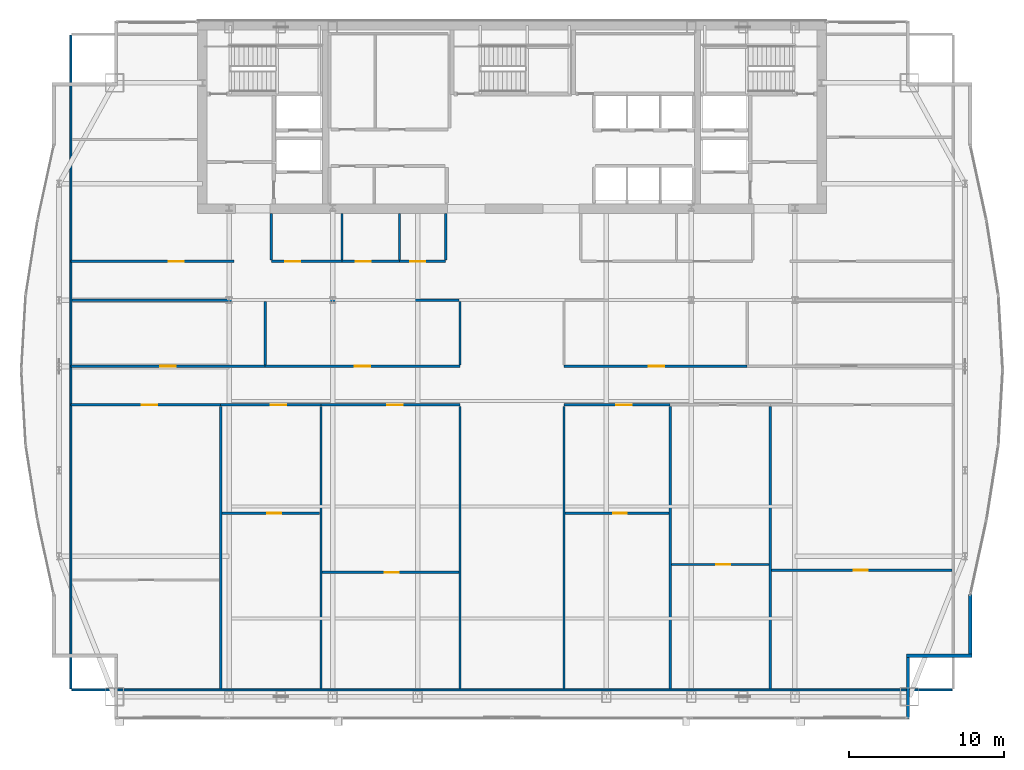
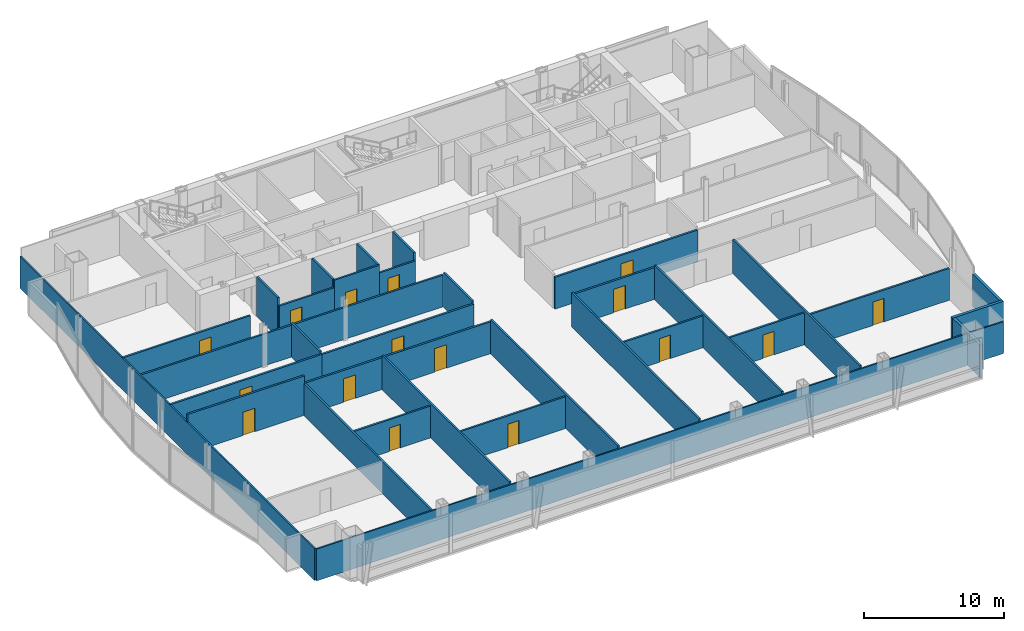
# One storey, part 25 of 30: 34 walls, 16 doors, 16 openings.
"""IFC4 building model written with IfcOpenShell, lengths in metres."""

from ifc_helpers import new_model, si_unit, direction, frame, frame_2d, origin, place, context, subcontext, project, spatial, rectangle, extrude, material, layer, layer_set, type_object, element, fill, save


model = new_model("IFC4")

# Units and contexts
model_context = context("Model", 3, precision=1e-05, world=origin(), true_north=direction((0.0, 1.0)))
body_context = subcontext(model_context, "Body", "Model", "MODEL_VIEW")
ifc_project = project(units=[si_unit("LENGTHUNIT", "METRE"), si_unit("AREAUNIT", "SQUARE_METRE"), si_unit("VOLUMEUNIT", "CUBIC_METRE"), si_unit("PLANEANGLEUNIT", "RADIAN"), si_unit("MASSUNIT", "GRAM", prefix="KILO")], contexts=[model_context])

# Site, building, storey
site_placement = place(None, origin())
site = spatial("IfcSite", under=ifc_project, at=site_placement, CompositionType="ELEMENT")
building_placement = place(site_placement, origin())
building = spatial("IfcBuilding", under=site, at=building_placement, Name="Khoronbel Lancet Exchange", CompositionType="ELEMENT")
storey_placement = place(building_placement, frame((0.0, 0.0, 217.39990234375)))
storey = spatial("IfcBuildingStorey", under=building, at=storey_placement, Name="L55", CompositionType="ELEMENT", Elevation=217.39990234375)

# Walls
ifc_material_1 = material(Name="Precast concrete C40/50", Category="concrete")
ifc_layer_1 = layer(ifc_material_1, 0.25, Name="Precast concrete C40/50")
ifc_layer_set_1 = layer_set([ifc_layer_1], Name="Precast concrete C40/50")
wall_type_1 = type_object("IfcWallType", Name="WL-EXT250", PredefinedType="SOLIDWALL", material=ifc_layer_set_1)
wall_1_placement = place(storey_placement, frame((65.9599609375, 16.7294921875, 0.0), z_axis=(0.0, 0.0, 1.0), x_axis=(0.0, -1.0, 0.0)))
element("IfcWall", 1, at=wall_1_placement, inside=storey, type_object=wall_type_1, Name="Level L55 notched-corner limestone pier 23", PredefinedType="SOLIDWALL", context=body_context, shape_type="SweptSolid", body=[
    extrude(rectangle(XDim=3.82958984375, YDim=0.219970703125, at=frame_2d((1.914794921875, 0.0))), origin(), (0.0, 0.0, 1.0), 2.830078125),
])
wall_2_placement = place(storey_placement, frame((66.070068359375, 12.7900390625, 0.0), z_axis=(0.0, 0.0, 1.0), x_axis=(-1.0, 0.0, 0.0)))
element("IfcWall", 2, at=wall_2_placement, inside=storey, type_object=wall_type_1, Name="Level L55 notched-corner limestone pier 24", PredefinedType="SOLIDWALL", context=body_context, shape_type="SweptSolid", body=[
    extrude(rectangle(XDim=4.219970703125, YDim=0.219970703125, at=frame_2d((2.10986328125, 0.0))), origin(), (0.0, 0.0, 1.0), 2.830078125),
])
wall_3_placement = place(storey_placement, frame((61.9599609375, 12.679931640625, 0.0), z_axis=(0.0, 0.0, 1.0), x_axis=(0.0, -1.0, 0.0)))
element("IfcWall", 3, at=wall_3_placement, inside=storey, type_object=wall_type_1, Name="Level L55 notched-corner limestone pier 25", PredefinedType="SOLIDWALL", context=body_context, shape_type="SweptSolid", body=[
    extrude(rectangle(XDim=3.909912109375, YDim=0.219970703125, at=frame_2d((1.955078125, 0.0))), origin(), (0.0, 0.0, 1.0), 2.830078125),
])
ifc_material_2 = material(Name="Acoustic Metal-Stud & Mineral-Wool Gypsum Partition 120 mm", Category="gypsum")
ifc_layer_2 = layer(ifc_material_2, 0.1201171875, Name="Acoustic Metal-Stud & Mineral-Wool Gypsum Partition 120 mm")
ifc_layer_set_2 = layer_set([ifc_layer_2], Name="Acoustic Metal-Stud & Mineral-Wool Gypsum Partition 120 mm")
wall_type_2 = type_object("IfcWallType", Name="WL-PRT120", PredefinedType="PARTITIONING", material=ifc_layer_set_2)
for number, where, z_axis, x_axis, name in (
    (4, (20.949951171875, 38.280029296875, 0.0), (0.0, 0.0, 1.0), (0.0, 1.0, 0.0), "Level L55 interior partition PW-WC-0"),
    (5, (25.5, 38.280029296875, 0.0), (0.0, 0.0, 1.0), (0.0, 1.0, 0.0), "Level L55 interior partition PW-WC-1"),
    (6, (29.199951171875, 38.280029296875, 0.0), (0.0, 0.0, 1.0), (0.0, 1.0, 0.0), "Level L55 interior partition PW-WC-2"),
    (7, (32.179931640625, 38.280029296875, 0.0), (0.0, 0.0, 1.0), (0.0, 1.0, 0.0), "Level L55 interior partition PW-WC-3"),
):
    element("IfcWall", number, at=place(storey_placement, frame(where, z_axis=z_axis, x_axis=x_axis)), inside=storey, type_object=wall_type_2, Name=name, PredefinedType="PARTITIONING", context=body_context, shape_type="SweptSolid", body=[
        extrude(rectangle(XDim=3.02001953125, YDim=0.14990234375, at=frame_2d((1.510009765625, 0.0))), origin(), (0.0, 0.0, 1.0), 3.440185546875),
    ])

# Wall, opening, door
wall_4_placement = place(storey_placement, frame((17.76171875, 21.984130859375, 0.0), z_axis=(0.0, 0.0, 1.0), x_axis=(1.0, 0.0, 0.0)))
wall_4 = element("IfcWall", 8, at=wall_4_placement, inside=storey, type_object=wall_type_2, Name="Level L55 interior partition PW-Z3SW-H2", PredefinedType="PARTITIONING", context=body_context, shape_type="SweptSolid", body=[
    extrude(rectangle(XDim=6.30322265625, YDim=0.14990234375, at=frame_2d((3.151611328125, 0.0))), origin(), (0.0, 0.0, 1.0), 2.780029296875),
])
opening_1_placement = place(wall_4_placement, frame((2.908447265625, 0.0, 0.0)))
opening_1 = element("IfcOpeningElement", 9, at=opening_1_placement, cuts=wall_4, Name="Opening D5", PredefinedType="OPENING", context=body_context, shape_type="SweptSolid", body=[
    extrude(rectangle(XDim=0.89990234375, YDim=2.050048828125, at=frame_2d((0.449951171875, 1.02490234375))), frame((0.0, 0.0849609375, 0.0), z_axis=(0.0, -1.0, 0.0), x_axis=(1.0, 0.0, 0.0)), (0.0, 0.0, 1.0), 0.169921875),
])
ifc_material_3 = material(Name="Acoustic Timber Pantry & Support Door", Category="wood")
door_type_1 = type_object("IfcDoorType", Name="DR-D5", OperationType="NOTDEFINED", PredefinedType="DOOR", material=ifc_material_3)
door_1_placement = place(opening_1_placement, origin())
door_1 = element("IfcDoor", 10, at=door_1_placement, inside=storey, type_object=door_type_1, Name="Z3SW inner door 2 L55-1", OperationType="SINGLE_SWING_RIGHT", OverallHeight=2.050048828125, OverallWidth=0.89990234375, PredefinedType="DOOR", context=body_context, shape_type="SweptSolid", body=[
    extrude(rectangle(XDim=0.89990234375, YDim=2.050048828125, at=frame_2d((0.449951171875, 1.02490234375))), frame((0.0, 0.02490234375, 0.0), z_axis=(0.0, -1.0, 0.0), x_axis=(1.0, 0.0, 0.0)), (0.0, 0.0, 1.0), 0.050048828125),
])
fill(opening_1, door_1)

wall_5_placement = place(storey_placement, frame((24.224853515625, 18.16552734375, 0.0), z_axis=(0.0, 0.0, 1.0), x_axis=(1.0, 0.0, 0.0)))
wall_5 = element("IfcWall", 11, at=wall_5_placement, inside=storey, type_object=wall_type_2, Name="Level L55 interior partition PW-Z3SW-H3", PredefinedType="PARTITIONING", context=body_context, shape_type="SweptSolid", body=[
    extrude(rectangle(XDim=8.795166015625, YDim=0.14990234375, at=frame_2d((4.3974609375, 0.0))), origin(), (0.0, 0.0, 1.0), 2.780029296875),
])
opening_2_placement = place(wall_5_placement, frame((4.02978515625, 0.0, 0.0)))
opening_2 = element("IfcOpeningElement", 12, at=opening_2_placement, cuts=wall_5, Name="Opening D5", PredefinedType="OPENING", context=body_context, shape_type="SweptSolid", body=[
    extrude(rectangle(XDim=0.89990234375, YDim=2.050048828125, at=frame_2d((0.449951171875, 1.02490234375))), frame((0.0, 0.0849609375, 0.0), z_axis=(0.0, -1.0, 0.0), x_axis=(1.0, 0.0, 0.0)), (0.0, 0.0, 1.0), 0.169921875),
])
door_2_placement = place(opening_2_placement, origin())
door_2 = element("IfcDoor", 13, at=door_2_placement, inside=storey, type_object=door_type_1, Name="Z3SW inner door 3 L55-1", OperationType="SINGLE_SWING_RIGHT", OverallHeight=2.050048828125, OverallWidth=0.89990234375, PredefinedType="DOOR", context=body_context, shape_type="SweptSolid", body=[
    extrude(rectangle(XDim=0.89990234375, YDim=2.050048828125, at=frame_2d((0.449951171875, 1.02490234375))), frame((0.0, 0.02490234375, 0.0), z_axis=(0.0, -1.0, 0.0), x_axis=(1.0, 0.0, 0.0)), (0.0, 0.0, 1.0), 0.050048828125),
])
fill(opening_2, door_2)

wall_6_placement = place(storey_placement, frame((39.8798828125, 21.97705078125, 0.0), z_axis=(0.0, 0.0, 1.0), x_axis=(1.0, 0.0, 0.0)))
wall_6 = element("IfcWall", 14, at=wall_6_placement, inside=storey, type_object=wall_type_2, Name="Level L55 interior partition PW-Z3SE-H1", PredefinedType="PARTITIONING", context=body_context, shape_type="SweptSolid", body=[
    extrude(rectangle(XDim=6.677490234375, YDim=0.14990234375, at=frame_2d((3.3388671875, 0.0))), origin(), (0.0, 0.0, 1.0), 2.780029296875),
])
opening_3_placement = place(wall_6_placement, frame((3.076904296875, 0.0, 0.0)))
opening_3 = element("IfcOpeningElement", 15, at=opening_3_placement, cuts=wall_6, Name="Opening D5", PredefinedType="OPENING", context=body_context, shape_type="SweptSolid", body=[
    extrude(rectangle(XDim=0.89990234375, YDim=2.050048828125, at=frame_2d((0.449951171875, 1.02490234375))), frame((0.0, 0.0849609375, 0.0), z_axis=(0.0, -1.0, 0.0), x_axis=(1.0, 0.0, 0.0)), (0.0, 0.0, 1.0), 0.169921875),
])
door_3_placement = place(opening_3_placement, origin())
door_3 = element("IfcDoor", 16, at=door_3_placement, inside=storey, type_object=door_type_1, Name="Z3SE inner door 1 L55-1", OperationType="SINGLE_SWING_RIGHT", OverallHeight=2.050048828125, OverallWidth=0.89990234375, PredefinedType="DOOR", context=body_context, shape_type="SweptSolid", body=[
    extrude(rectangle(XDim=0.89990234375, YDim=2.050048828125, at=frame_2d((0.449951171875, 1.02490234375))), frame((0.0, 0.02490234375, 0.0), z_axis=(0.0, -1.0, 0.0), x_axis=(1.0, 0.0, 0.0)), (0.0, 0.0, 1.0), 0.050048828125),
])
fill(opening_3, door_3)

wall_7_placement = place(storey_placement, frame((46.71728515625, 18.674072265625, 0.0), z_axis=(0.0, 0.0, 1.0), x_axis=(1.0, 0.0, 0.0)))
wall_7 = element("IfcWall", 17, at=wall_7_placement, inside=storey, type_object=wall_type_2, Name="Level L55 interior partition PW-Z3SE-H2", PredefinedType="PARTITIONING", context=body_context, shape_type="SweptSolid", body=[
    extrude(rectangle(XDim=6.29736328125, YDim=0.14990234375, at=frame_2d((3.148681640625, 0.0))), origin(), (0.0, 0.0, 1.0), 2.780029296875),
])
opening_4_placement = place(wall_7_placement, frame((2.90576171875, 0.0, 0.0)))
opening_4 = element("IfcOpeningElement", 18, at=opening_4_placement, cuts=wall_7, Name="Opening D5", PredefinedType="OPENING", context=body_context, shape_type="SweptSolid", body=[
    extrude(rectangle(XDim=0.89990234375, YDim=2.050048828125, at=frame_2d((0.449951171875, 1.02490234375))), frame((0.0, 0.0849609375, 0.0), z_axis=(0.0, -1.0, 0.0), x_axis=(1.0, 0.0, 0.0)), (0.0, 0.0, 1.0), 0.169921875),
])
door_4_placement = place(opening_4_placement, origin())
door_4 = element("IfcDoor", 19, at=door_4_placement, inside=storey, type_object=door_type_1, Name="Z3SE inner door 2 L55-1", OperationType="SINGLE_SWING_RIGHT", OverallHeight=2.050048828125, OverallWidth=0.89990234375, PredefinedType="DOOR", context=body_context, shape_type="SweptSolid", body=[
    extrude(rectangle(XDim=0.89990234375, YDim=2.050048828125, at=frame_2d((0.449951171875, 1.02490234375))), frame((0.0, 0.02490234375, 0.0), z_axis=(0.0, -1.0, 0.0), x_axis=(1.0, 0.0, 0.0)), (0.0, 0.0, 1.0), 0.050048828125),
])
fill(opening_4, door_4)

wall_8_placement = place(storey_placement, frame((53.1748046875, 18.306884765625, 0.0), z_axis=(0.0, 0.0, 1.0), x_axis=(1.0, 0.0, 0.0)))
wall_8 = element("IfcWall", 20, at=wall_8_placement, inside=storey, type_object=wall_type_2, Name="Level L55 interior partition PW-Z3SE-H3", PredefinedType="PARTITIONING", context=body_context, shape_type="SweptSolid", body=[
    extrude(rectangle(XDim=11.630126953125, YDim=0.14990234375, at=frame_2d((5.81494140625, 0.0))), origin(), (0.0, 0.0, 1.0), 2.780029296875),
])
opening_5_placement = place(wall_8_placement, frame((5.298828125, 0.0, 0.0)))
opening_5 = element("IfcOpeningElement", 21, at=opening_5_placement, cuts=wall_8, Name="Opening D5", PredefinedType="OPENING", context=body_context, shape_type="SweptSolid", body=[
    extrude(rectangle(XDim=0.89990234375, YDim=2.050048828125, at=frame_2d((0.449951171875, 1.02490234375))), frame((0.0, 0.0849609375, 0.0), z_axis=(0.0, -1.0, 0.0), x_axis=(1.0, 0.0, 0.0)), (0.0, 0.0, 1.0), 0.169921875),
])
door_5_placement = place(opening_5_placement, origin())
door_5 = element("IfcDoor", 22, at=door_5_placement, inside=storey, type_object=door_type_1, Name="Z3SE inner door 3 L55-1", OperationType="SINGLE_SWING_RIGHT", OverallHeight=2.050048828125, OverallWidth=0.89990234375, PredefinedType="DOOR", context=body_context, shape_type="SweptSolid", body=[
    extrude(rectangle(XDim=0.89990234375, YDim=2.050048828125, at=frame_2d((0.449951171875, 1.02490234375))), frame((0.0, 0.02490234375, 0.0), z_axis=(0.0, -1.0, 0.0), x_axis=(1.0, 0.0, 0.0)), (0.0, 0.0, 1.0), 0.050048828125),
])
fill(opening_5, door_5)

# Walls
wall_9_placement = place(storey_placement, frame((8.030029296875, 10.6650390625, 0.0), z_axis=(0.0, 0.0, 1.0), x_axis=(0.0, 1.0, 0.0)))
element("IfcWall", 23, at=wall_9_placement, inside=storey, type_object=wall_type_2, Name="Level L55 interior partition PW-LIN-W", PredefinedType="PARTITIONING", context=body_context, shape_type="SweptSolid", body=[
    extrude(rectangle(XDim=42.10986328125, YDim=0.1201171875, at=frame_2d((21.054931640625, 0.0))), origin(), (0.0, 0.0, 1.0), 2.780029296875),
])
wall_10_placement = place(storey_placement, frame((8.094970703125, 10.60009765625, 0.0), z_axis=(0.0, 0.0, 1.0), x_axis=(1.0, 0.0, 0.0)))
element("IfcWall", 24, at=wall_10_placement, inside=storey, type_object=wall_type_2, Name="Level L55 interior partition PW-LIN-S", PredefinedType="PARTITIONING", context=body_context, shape_type="SweptSolid", body=[
    extrude(rectangle(XDim=56.7099609375, YDim=0.1201171875, at=frame_2d((28.35498046875, 0.0))), origin(), (0.0, 0.0, 1.0), 2.780029296875),
])

# Wall, opening, door
ifc_material_4 = material(Name="Fire-Rated Twin-Stud Acoustic Gypsum Partition 150 mm", Category="gypsum")
ifc_layer_3 = layer(ifc_material_4, 0.14990234375, Name="Fire-Rated Twin-Stud Acoustic Gypsum Partition 150 mm")
ifc_layer_set_3 = layer_set([ifc_layer_3], Name="Fire-Rated Twin-Stud Acoustic Gypsum Partition 150 mm")
wall_type_3 = type_object("IfcWallType", Name="WL-PRT150C", PredefinedType="PARTITIONING", material=ifc_layer_set_3)
wall_11_placement = place(storey_placement, frame((20.949951171875, 38.199951171875, 0.0), z_axis=(0.0, 0.0, 1.0), x_axis=(1.0, 0.0, 0.0)))
wall_11 = element("IfcWall", 25, at=wall_11_placement, inside=storey, type_object=wall_type_3, Name="Level L55 interior partition PW-WC-S1", PredefinedType="PARTITIONING", context=body_context, shape_type="SweptSolid", body=[
    extrude(rectangle(XDim=4.550048828125, YDim=0.14990234375, at=frame_2d((2.27490234375, 0.0))), origin(), (0.0, 0.0, 1.0), 2.780029296875),
])
opening_6_placement = place(wall_11_placement, frame((0.89990234375, 0.0, 0.0)))
opening_6 = element("IfcOpeningElement", 26, at=opening_6_placement, cuts=wall_11, Name="Opening D4", PredefinedType="OPENING", context=body_context, shape_type="SweptSolid", body=[
    extrude(rectangle(XDim=0.949951171875, YDim=2.050048828125, at=frame_2d((0.47509765625, 1.02490234375))), frame((0.0, 0.0849609375, 0.0), z_axis=(0.0, -1.0, 0.0), x_axis=(1.0, 0.0, 0.0)), (0.0, 0.0, 1.0), 0.169921875),
])
ifc_material_5 = material(Name="Moisture-Resistant HPL Washroom Door", Category="wood")
door_type_2 = type_object("IfcDoorType", Name="DR-D4", OperationType="NOTDEFINED", PredefinedType="DOOR", material=ifc_material_5)
door_6_placement = place(opening_6_placement, origin())
door_6 = element("IfcDoor", 27, at=door_6_placement, inside=storey, type_object=door_type_2, Name="Male washroom door L55-1", OperationType="SINGLE_SWING_RIGHT", OverallHeight=2.050048828125, OverallWidth=0.949951171875, PredefinedType="DOOR", context=body_context, shape_type="SweptSolid", body=[
    extrude(rectangle(XDim=0.949951171875, YDim=2.050048828125, at=frame_2d((0.47509765625, 1.02490234375))), frame((0.0, 0.02490234375, 0.0), z_axis=(0.0, -1.0, 0.0), x_axis=(1.0, 0.0, 0.0)), (0.0, 0.0, 1.0), 0.050048828125),
])
fill(opening_6, door_6)

wall_12_placement = place(storey_placement, frame((25.5, 38.199951171875, 0.0), z_axis=(0.0, 0.0, 1.0), x_axis=(1.0, 0.0, 0.0)))
wall_12 = element("IfcWall", 28, at=wall_12_placement, inside=storey, type_object=wall_type_3, Name="Level L55 interior partition PW-WC-S2", PredefinedType="PARTITIONING", context=body_context, shape_type="SweptSolid", body=[
    extrude(rectangle(XDim=3.699951171875, YDim=0.14990234375, at=frame_2d((1.85009765625, 0.0))), origin(), (0.0, 0.0, 1.0), 3.440185546875),
])
opening_7_placement = place(wall_12_placement, frame((0.89990234375, 0.0, 0.0)))
opening_7 = element("IfcOpeningElement", 29, at=opening_7_placement, cuts=wall_12, Name="Opening D4", PredefinedType="OPENING", context=body_context, shape_type="SweptSolid", body=[
    extrude(rectangle(XDim=0.949951171875, YDim=2.050048828125, at=frame_2d((0.47509765625, 1.02490234375))), frame((0.0, 0.0849609375, 0.0), z_axis=(0.0, -1.0, 0.0), x_axis=(1.0, 0.0, 0.0)), (0.0, 0.0, 1.0), 0.169921875),
])
door_7_placement = place(opening_7_placement, origin())
door_7 = element("IfcDoor", 30, at=door_7_placement, inside=storey, type_object=door_type_2, Name="Female washroom door L55-1", OperationType="SINGLE_SWING_LEFT", OverallHeight=2.050048828125, OverallWidth=0.949951171875, PredefinedType="DOOR", context=body_context, shape_type="SweptSolid", body=[
    extrude(rectangle(XDim=0.949951171875, YDim=2.050048828125, at=frame_2d((0.47509765625, 1.02490234375))), frame((0.0, 0.02490234375, 0.0), z_axis=(0.0, -1.0, 0.0), x_axis=(1.0, 0.0, 0.0)), (0.0, 0.0, 1.0), 0.050048828125),
])
fill(opening_7, door_7)

wall_13_placement = place(storey_placement, frame((29.199951171875, 38.199951171875, 0.0), z_axis=(0.0, 0.0, 1.0), x_axis=(1.0, 0.0, 0.0)))
wall_13 = element("IfcWall", 31, at=wall_13_placement, inside=storey, type_object=wall_type_3, Name="Level L55 interior partition PW-WC-S3", PredefinedType="PARTITIONING", context=body_context, shape_type="SweptSolid", body=[
    extrude(rectangle(XDim=2.97998046875, YDim=0.14990234375, at=frame_2d((1.489990234375, 0.0))), origin(), (0.0, 0.0, 1.0), 2.780029296875),
])
opening_8_placement = place(wall_13_placement, frame((0.699951171875, 0.0, 0.0)))
opening_8 = element("IfcOpeningElement", 32, at=opening_8_placement, cuts=wall_13, Name="Opening D4", PredefinedType="OPENING", context=body_context, shape_type="SweptSolid", body=[
    extrude(rectangle(XDim=0.949951171875, YDim=2.050048828125, at=frame_2d((0.47509765625, 1.02490234375))), frame((0.0, 0.0849609375, 0.0), z_axis=(0.0, -1.0, 0.0), x_axis=(1.0, 0.0, 0.0)), (0.0, 0.0, 1.0), 0.169921875),
])
door_8_placement = place(opening_8_placement, origin())
door_8 = element("IfcDoor", 33, at=door_8_placement, inside=storey, type_object=door_type_2, Name="Accessible WC door L55-1", OperationType="SINGLE_SWING_RIGHT", OverallHeight=2.050048828125, OverallWidth=0.949951171875, PredefinedType="DOOR", context=body_context, shape_type="SweptSolid", body=[
    extrude(rectangle(XDim=0.949951171875, YDim=2.050048828125, at=frame_2d((0.47509765625, 1.02490234375))), frame((0.0, 0.02490234375, 0.0), z_axis=(0.0, -1.0, 0.0), x_axis=(1.0, 0.0, 0.0)), (0.0, 0.0, 1.0), 0.050048828125),
])
fill(opening_8, door_8)

wall_14_placement = place(storey_placement, frame((8.030029296875, 38.199951171875, 0.0), z_axis=(0.0, 0.0, 1.0), x_axis=(1.0, 0.0, 0.0)))
wall_14 = element("IfcWall", 34, at=wall_14_placement, inside=storey, type_object=wall_type_3, Name="Level L55 interior partition PW-NW-S", PredefinedType="PARTITIONING", context=body_context, shape_type="SweptSolid", body=[
    extrude(rectangle(XDim=10.52001953125, YDim=0.14990234375, at=frame_2d((5.260009765625, 0.0))), origin(), (0.0, 0.0, 1.0), 2.780029296875),
])
opening_9_placement = place(wall_14_placement, frame((6.320068359375, 0.0, 0.0)))
opening_9 = element("IfcOpeningElement", 35, at=opening_9_placement, cuts=wall_14, Name="Opening D1", PredefinedType="OPENING", context=body_context, shape_type="SweptSolid", body=[
    extrude(rectangle(XDim=0.949951171875, YDim=2.050048828125, at=frame_2d((0.47509765625, 1.02490234375))), frame((0.0, 0.0849609375, 0.0), z_axis=(0.0, -1.0, 0.0), x_axis=(1.0, 0.0, 0.0)), (0.0, 0.0, 1.0), 0.169921875),
])
ifc_material_6 = material(Name="Acoustic Veneered Timber & Bronze Frame Door", Category="wood")
door_type_3 = type_object("IfcDoorType", Name="DR-D1", OperationType="NOTDEFINED", PredefinedType="DOOR", material=ifc_material_6)
door_9_placement = place(opening_9_placement, origin())
door_9 = element("IfcDoor", 36, at=door_9_placement, inside=storey, type_object=door_type_3, Name="NW corner room door L55-1", OperationType="SINGLE_SWING_LEFT", OverallHeight=2.050048828125, OverallWidth=0.949951171875, PredefinedType="DOOR", context=body_context, shape_type="SweptSolid", body=[
    extrude(rectangle(XDim=0.949951171875, YDim=2.050048828125, at=frame_2d((0.47509765625, 1.02490234375))), frame((0.0, 0.02490234375, 0.0), z_axis=(0.0, -1.0, 0.0), x_axis=(1.0, 0.0, 0.0)), (0.0, 0.0, 1.0), 0.050048828125),
])
fill(opening_9, door_9)

# Walls
for number, where, z_axis, x_axis, name in (
    (37, (33.10009765625, 10.6650390625, 0.0), (0.0, 0.0, 1.0), (0.0, 1.0, 0.0), "Level L55 interior partition PW-Z3-CW1"),
    (38, (39.800048828125, 10.6650390625, 0.0), (0.0, 0.0, 1.0), (0.0, 1.0, 0.0), "Level L55 interior partition PW-Z3-CE1"),
):
    element("IfcWall", number, at=place(storey_placement, frame(where, z_axis=z_axis, x_axis=x_axis)), inside=storey, type_object=wall_type_3, Name=name, PredefinedType="PARTITIONING", context=body_context, shape_type="SweptSolid", body=[
        extrude(rectangle(XDim=18.199951171875, YDim=0.14990234375, at=frame_2d((9.10009765625, 0.0))), origin(), (0.0, 0.0, 1.0), 2.97998046875),
    ])
wall_15_placement = place(storey_placement, frame((33.10009765625, 31.534912109375, 0.0), z_axis=(0.0, 0.0, 1.0), x_axis=(0.0, 1.0, 0.0)))
element("IfcWall", 39, at=wall_15_placement, inside=storey, type_object=wall_type_3, Name="Level L55 interior partition PW-Z3-CW2", PredefinedType="PARTITIONING", context=body_context, shape_type="SweptSolid", body=[
    extrude(rectangle(XDim=4.085205078125, YDim=0.14990234375, at=frame_2d((2.04248046875, 0.0))), origin(), (0.0, 0.0, 1.0), 2.97998046875),
])
wall_16_placement = place(storey_placement, frame((8.094970703125, 35.699951171875, 0.0), z_axis=(0.0, 0.0, 1.0), x_axis=(1.0, 0.0, 0.0)))
element("IfcWall", 40, at=wall_16_placement, inside=storey, type_object=wall_type_3, Name="Level L55 interior partition PW-Z3-WN", PredefinedType="PARTITIONING", context=body_context, shape_type="SweptSolid", body=[
    extrude(rectangle(XDim=24.925048828125, YDim=0.14990234375, at=frame_2d((12.46240234375, 0.0))), origin(), (0.0, 0.0, 1.0), 2.780029296875),
])
wall_17_placement = place(storey_placement, frame((17.681640625, 10.6650390625, 0.0), z_axis=(0.0, 0.0, 1.0), x_axis=(0.0, 1.0, 0.0)))
element("IfcWall", 41, at=wall_17_placement, inside=storey, type_object=wall_type_3, Name="Level L55 interior partition PW-Z3SW-V1", PredefinedType="PARTITIONING", context=body_context, shape_type="SweptSolid", body=[
    extrude(rectangle(XDim=18.199951171875, YDim=0.14990234375, at=frame_2d((9.10009765625, 0.0))), origin(), (0.0, 0.0, 1.0), 2.780029296875),
])
for number, where, z_axis, x_axis, name in (
    (42, (24.14501953125, 10.6650390625, 0.0), (0.0, 0.0, 1.0), (0.0, 1.0, 0.0), "Level L55 interior partition PW-Z3SW-V2"),
    (43, (46.63720703125, 10.6650390625, 0.0), (0.0, 0.0, 1.0), (0.0, 1.0, 0.0), "Level L55 interior partition PW-Z3SE-V1"),
    (44, (53.0947265625, 10.6650390625, 0.0), (0.0, 0.0, 1.0), (0.0, 1.0, 0.0), "Level L55 interior partition PW-Z3SE-V2"),
):
    element("IfcWall", number, at=place(storey_placement, frame(where, z_axis=z_axis, x_axis=x_axis)), inside=storey, type_object=wall_type_3, Name=name, PredefinedType="PARTITIONING", context=body_context, shape_type="SweptSolid", body=[
        extrude(rectangle(XDim=18.199951171875, YDim=0.14990234375, at=frame_2d((9.10009765625, 0.0))), origin(), (0.0, 0.0, 1.0), 2.97998046875),
    ])
wall_18_placement = place(storey_placement, frame((20.5498046875, 31.534912109375, 0.0), z_axis=(0.0, 0.0, 1.0), x_axis=(0.0, 1.0, 0.0)))
element("IfcWall", 45, at=wall_18_placement, inside=storey, type_object=wall_type_3, Name="Level L55 interior partition PW-Z3NW-V1", PredefinedType="PARTITIONING", context=body_context, shape_type="SweptSolid", body=[
    extrude(rectangle(XDim=4.085205078125, YDim=0.14990234375, at=frame_2d((2.04248046875, 0.0))), origin(), (0.0, 0.0, 1.0), 2.97998046875),
])

# Wall, opening, door
ifc_material_7 = material(Name="Fire-Rated Twin-Stud Acoustic Gypsum Partition 160 mm", Category="gypsum")
ifc_layer_4 = layer(ifc_material_7, 0.159912109375, Name="Fire-Rated Twin-Stud Acoustic Gypsum Partition 160 mm")
ifc_layer_set_4 = layer_set([ifc_layer_4], Name="Fire-Rated Twin-Stud Acoustic Gypsum Partition 160 mm")
wall_type_4 = type_object("IfcWallType", Name="WL-PRT160C", PredefinedType="PARTITIONING", material=ifc_layer_set_4)
wall_19_placement = place(storey_placement, frame((8.030029296875, 28.949951171875, 0.0), z_axis=(0.0, 0.0, 1.0), x_axis=(1.0, 0.0, 0.0)))
wall_19 = element("IfcWall", 46, at=wall_19_placement, inside=storey, type_object=wall_type_4, Name="Level L55 interior partition PW-Z3SW-COR1", PredefinedType="PARTITIONING", context=body_context, shape_type="SweptSolid", body=[
    extrude(rectangle(XDim=9.651611328125, YDim=0.159912109375, at=frame_2d((4.82568359375, 0.0))), origin(), (0.0, 0.0, 1.0), 3.440185546875),
])
opening_10_placement = place(wall_19_placement, frame((4.5537109375, 0.0, 0.0)))
opening_10 = element("IfcOpeningElement", 47, at=opening_10_placement, cuts=wall_19, Name="Opening D2", PredefinedType="OPENING", context=body_context, shape_type="SweptSolid", body=[
    extrude(rectangle(XDim=1.0, YDim=2.050048828125, at=frame_2d((0.5, 1.02490234375))), frame((0.0, 0.08984375, 0.0), z_axis=(0.0, -1.0, 0.0), x_axis=(1.0, 0.0, 0.0)), (0.0, 0.0, 1.0), 0.179931640625),
])
door_type_4 = type_object("IfcDoorType", Name="DR-D2", OperationType="NOTDEFINED", PredefinedType="DOOR", material=ifc_material_6)
door_10_placement = place(opening_10_placement, origin())
door_10 = element("IfcDoor", 48, at=door_10_placement, inside=storey, type_object=door_type_4, Name="Z3SW bay 1 door L55-1", OperationType="SINGLE_SWING_LEFT", OverallHeight=2.050048828125, OverallWidth=1.0, PredefinedType="DOOR", context=body_context, shape_type="SweptSolid", body=[
    extrude(rectangle(XDim=1.0, YDim=2.050048828125, at=frame_2d((0.5, 1.02490234375))), frame((0.0, 0.02490234375, 0.0), z_axis=(0.0, -1.0, 0.0), x_axis=(1.0, 0.0, 0.0)), (0.0, 0.0, 1.0), 0.050048828125),
])
fill(opening_10, door_10)

wall_20_placement = place(storey_placement, frame((17.681640625, 28.949951171875, 0.0), z_axis=(0.0, 0.0, 1.0), x_axis=(1.0, 0.0, 0.0)))
wall_20 = element("IfcWall", 49, at=wall_20_placement, inside=storey, type_object=wall_type_4, Name="Level L55 interior partition PW-Z3SW-COR2", PredefinedType="PARTITIONING", context=body_context, shape_type="SweptSolid", body=[
    extrude(rectangle(XDim=6.46337890625, YDim=0.159912109375, at=frame_2d((3.231689453125, 0.0))), origin(), (0.0, 0.0, 1.0), 2.780029296875),
])
opening_11_placement = place(wall_20_placement, frame((3.214599609375, 0.0, 0.0)))
opening_11 = element("IfcOpeningElement", 50, at=opening_11_placement, cuts=wall_20, Name="Opening D2", PredefinedType="OPENING", context=body_context, shape_type="SweptSolid", body=[
    extrude(rectangle(XDim=1.0, YDim=2.050048828125, at=frame_2d((0.5, 1.02490234375))), frame((0.0, 0.08984375, 0.0), z_axis=(0.0, -1.0, 0.0), x_axis=(1.0, 0.0, 0.0)), (0.0, 0.0, 1.0), 0.179931640625),
])
door_11_placement = place(opening_11_placement, origin())
door_11 = element("IfcDoor", 51, at=door_11_placement, inside=storey, type_object=door_type_4, Name="Z3SW bay 2 door L55-1", OperationType="SINGLE_SWING_LEFT", OverallHeight=2.050048828125, OverallWidth=1.0, PredefinedType="DOOR", context=body_context, shape_type="SweptSolid", body=[
    extrude(rectangle(XDim=1.0, YDim=2.050048828125, at=frame_2d((0.5, 1.02490234375))), frame((0.0, 0.02490234375, 0.0), z_axis=(0.0, -1.0, 0.0), x_axis=(1.0, 0.0, 0.0)), (0.0, 0.0, 1.0), 0.050048828125),
])
fill(opening_11, door_11)

wall_21_placement = place(storey_placement, frame((24.14501953125, 28.949951171875, 0.0), z_axis=(0.0, 0.0, 1.0), x_axis=(1.0, 0.0, 0.0)))
wall_21 = element("IfcWall", 52, at=wall_21_placement, inside=storey, type_object=wall_type_4, Name="Level L55 interior partition PW-Z3SW-COR3", PredefinedType="PARTITIONING", context=body_context, shape_type="SweptSolid", body=[
    extrude(rectangle(XDim=8.955078125, YDim=0.159912109375, at=frame_2d((4.4775390625, 0.0))), origin(), (0.0, 0.0, 1.0), 2.780029296875),
])
opening_12_placement = place(wall_21_placement, frame((4.260986328125, 0.0, 0.0)))
opening_12 = element("IfcOpeningElement", 53, at=opening_12_placement, cuts=wall_21, Name="Opening D2", PredefinedType="OPENING", context=body_context, shape_type="SweptSolid", body=[
    extrude(rectangle(XDim=1.0, YDim=2.050048828125, at=frame_2d((0.5, 1.02490234375))), frame((0.0, 0.08984375, 0.0), z_axis=(0.0, -1.0, 0.0), x_axis=(1.0, 0.0, 0.0)), (0.0, 0.0, 1.0), 0.179931640625),
])
door_12_placement = place(opening_12_placement, origin())
door_12 = element("IfcDoor", 54, at=door_12_placement, inside=storey, type_object=door_type_4, Name="Z3SW bay 3 door L55-1", OperationType="SINGLE_SWING_LEFT", OverallHeight=2.050048828125, OverallWidth=1.0, PredefinedType="DOOR", context=body_context, shape_type="SweptSolid", body=[
    extrude(rectangle(XDim=1.0, YDim=2.050048828125, at=frame_2d((0.5, 1.02490234375))), frame((0.0, 0.02490234375, 0.0), z_axis=(0.0, -1.0, 0.0), x_axis=(1.0, 0.0, 0.0)), (0.0, 0.0, 1.0), 0.050048828125),
])
fill(opening_12, door_12)

wall_22_placement = place(storey_placement, frame((39.800048828125, 28.949951171875, 0.0), z_axis=(0.0, 0.0, 1.0), x_axis=(1.0, 0.0, 0.0)))
wall_22 = element("IfcWall", 55, at=wall_22_placement, inside=storey, type_object=wall_type_4, Name="Level L55 interior partition PW-Z3SE-COR1", PredefinedType="PARTITIONING", context=body_context, shape_type="SweptSolid", body=[
    extrude(rectangle(XDim=6.837158203125, YDim=0.159912109375, at=frame_2d((3.41845703125, 0.0))), origin(), (0.0, 0.0, 1.0), 2.780029296875),
])
opening_13_placement = place(wall_22_placement, frame((3.37158203125, 0.0, 0.0)))
opening_13 = element("IfcOpeningElement", 56, at=opening_13_placement, cuts=wall_22, Name="Opening D2", PredefinedType="OPENING", context=body_context, shape_type="SweptSolid", body=[
    extrude(rectangle(XDim=1.0, YDim=2.050048828125, at=frame_2d((0.5, 1.02490234375))), frame((0.0, 0.08984375, 0.0), z_axis=(0.0, -1.0, 0.0), x_axis=(1.0, 0.0, 0.0)), (0.0, 0.0, 1.0), 0.179931640625),
])
door_13_placement = place(opening_13_placement, origin())
door_13 = element("IfcDoor", 57, at=door_13_placement, inside=storey, type_object=door_type_4, Name="Z3SE bay 1 door L55-1", OperationType="SINGLE_SWING_LEFT", OverallHeight=2.050048828125, OverallWidth=1.0, PredefinedType="DOOR", context=body_context, shape_type="SweptSolid", body=[
    extrude(rectangle(XDim=1.0, YDim=2.050048828125, at=frame_2d((0.5, 1.02490234375))), frame((0.0, 0.02490234375, 0.0), z_axis=(0.0, -1.0, 0.0), x_axis=(1.0, 0.0, 0.0)), (0.0, 0.0, 1.0), 0.050048828125),
])
fill(opening_13, door_13)

wall_23_placement = place(storey_placement, frame((8.030029296875, 31.449951171875, 0.0), z_axis=(0.0, 0.0, 1.0), x_axis=(1.0, 0.0, 0.0)))
wall_23 = element("IfcWall", 58, at=wall_23_placement, inside=storey, type_object=wall_type_4, Name="Level L55 interior partition PW-Z3NW-COR1", PredefinedType="PARTITIONING", context=body_context, shape_type="SweptSolid", body=[
    extrude(rectangle(XDim=12.519775390625, YDim=0.159912109375, at=frame_2d((6.259765625, 0.0))), origin(), (0.0, 0.0, 1.0), 2.780029296875),
])
opening_14_placement = place(wall_23_placement, frame((5.75830078125, 0.0, 0.0)))
opening_14 = element("IfcOpeningElement", 59, at=opening_14_placement, cuts=wall_23, Name="Opening D2", PredefinedType="OPENING", context=body_context, shape_type="SweptSolid", body=[
    extrude(rectangle(XDim=1.0, YDim=2.050048828125, at=frame_2d((0.5, 1.02490234375))), frame((0.0, 0.08984375, 0.0), z_axis=(0.0, -1.0, 0.0), x_axis=(1.0, 0.0, 0.0)), (0.0, 0.0, 1.0), 0.179931640625),
])
door_14_placement = place(opening_14_placement, origin())
door_14 = element("IfcDoor", 60, at=door_14_placement, inside=storey, type_object=door_type_4, Name="Z3NW bay 1 door L55-1", OperationType="SINGLE_SWING_LEFT", OverallHeight=2.050048828125, OverallWidth=1.0, PredefinedType="DOOR", context=body_context, shape_type="SweptSolid", body=[
    extrude(rectangle(XDim=1.0, YDim=2.050048828125, at=frame_2d((0.5, 1.02490234375))), frame((0.0, 0.02490234375, 0.0), z_axis=(0.0, -1.0, 0.0), x_axis=(1.0, 0.0, 0.0)), (0.0, 0.0, 1.0), 0.050048828125),
])
fill(opening_14, door_14)

wall_24_placement = place(storey_placement, frame((20.5498046875, 31.449951171875, 0.0), z_axis=(0.0, 0.0, 1.0), x_axis=(1.0, 0.0, 0.0)))
wall_24 = element("IfcWall", 61, at=wall_24_placement, inside=storey, type_object=wall_type_4, Name="Level L55 interior partition PW-Z3NW-COR2", PredefinedType="PARTITIONING", context=body_context, shape_type="SweptSolid", body=[
    extrude(rectangle(XDim=12.55029296875, YDim=0.159912109375, at=frame_2d((6.275146484375, 0.0))), origin(), (0.0, 0.0, 1.0), 2.780029296875),
])
opening_15_placement = place(wall_24_placement, frame((5.77099609375, 0.0, 0.0)))
opening_15 = element("IfcOpeningElement", 62, at=opening_15_placement, cuts=wall_24, Name="Opening D2", PredefinedType="OPENING", context=body_context, shape_type="SweptSolid", body=[
    extrude(rectangle(XDim=1.0, YDim=2.050048828125, at=frame_2d((0.5, 1.02490234375))), frame((0.0, 0.08984375, 0.0), z_axis=(0.0, -1.0, 0.0), x_axis=(1.0, 0.0, 0.0)), (0.0, 0.0, 1.0), 0.179931640625),
])
door_15_placement = place(opening_15_placement, origin())
door_15 = element("IfcDoor", 63, at=door_15_placement, inside=storey, type_object=door_type_4, Name="Z3NW bay 2 door L55-1", OperationType="SINGLE_SWING_RIGHT", OverallHeight=2.050048828125, OverallWidth=1.0, PredefinedType="DOOR", context=body_context, shape_type="SweptSolid", body=[
    extrude(rectangle(XDim=1.0, YDim=2.050048828125, at=frame_2d((0.5, 1.02490234375))), frame((0.0, 0.02490234375, 0.0), z_axis=(0.0, -1.0, 0.0), x_axis=(1.0, 0.0, 0.0)), (0.0, 0.0, 1.0), 0.050048828125),
])
fill(opening_15, door_15)

wall_25_placement = place(storey_placement, frame((39.800048828125, 31.449951171875, 0.0), z_axis=(0.0, 0.0, 1.0), x_axis=(1.0, 0.0, 0.0)))
wall_25 = element("IfcWall", 64, at=wall_25_placement, inside=storey, type_object=wall_type_4, Name="Level L55 interior partition PW-Z3NE-COR1", PredefinedType="PARTITIONING", context=body_context, shape_type="SweptSolid", body=[
    extrude(rectangle(XDim=11.797607421875, YDim=0.159912109375, at=frame_2d((5.89892578125, 0.0))), origin(), (0.0, 0.0, 1.0), 2.780029296875),
])
opening_16_placement = place(wall_25_placement, frame((5.455078125, 0.0, 0.0)))
opening_16 = element("IfcOpeningElement", 65, at=opening_16_placement, cuts=wall_25, Name="Opening D2", PredefinedType="OPENING", context=body_context, shape_type="SweptSolid", body=[
    extrude(rectangle(XDim=1.0, YDim=2.050048828125, at=frame_2d((0.5, 1.02490234375))), frame((0.0, 0.08984375, 0.0), z_axis=(0.0, -1.0, 0.0), x_axis=(1.0, 0.0, 0.0)), (0.0, 0.0, 1.0), 0.179931640625),
])
door_16_placement = place(opening_16_placement, origin())
door_16 = element("IfcDoor", 66, at=door_16_placement, inside=storey, type_object=door_type_4, Name="Z3NE bay 1 door L55-1", OperationType="SINGLE_SWING_LEFT", OverallHeight=2.050048828125, OverallWidth=1.0, PredefinedType="DOOR", context=body_context, shape_type="SweptSolid", body=[
    extrude(rectangle(XDim=1.0, YDim=2.050048828125, at=frame_2d((0.5, 1.02490234375))), frame((0.0, 0.02490234375, 0.0), z_axis=(0.0, -1.0, 0.0), x_axis=(1.0, 0.0, 0.0)), (0.0, 0.0, 1.0), 0.050048828125),
])
fill(opening_16, door_16)

save(model, "model.ifc")
